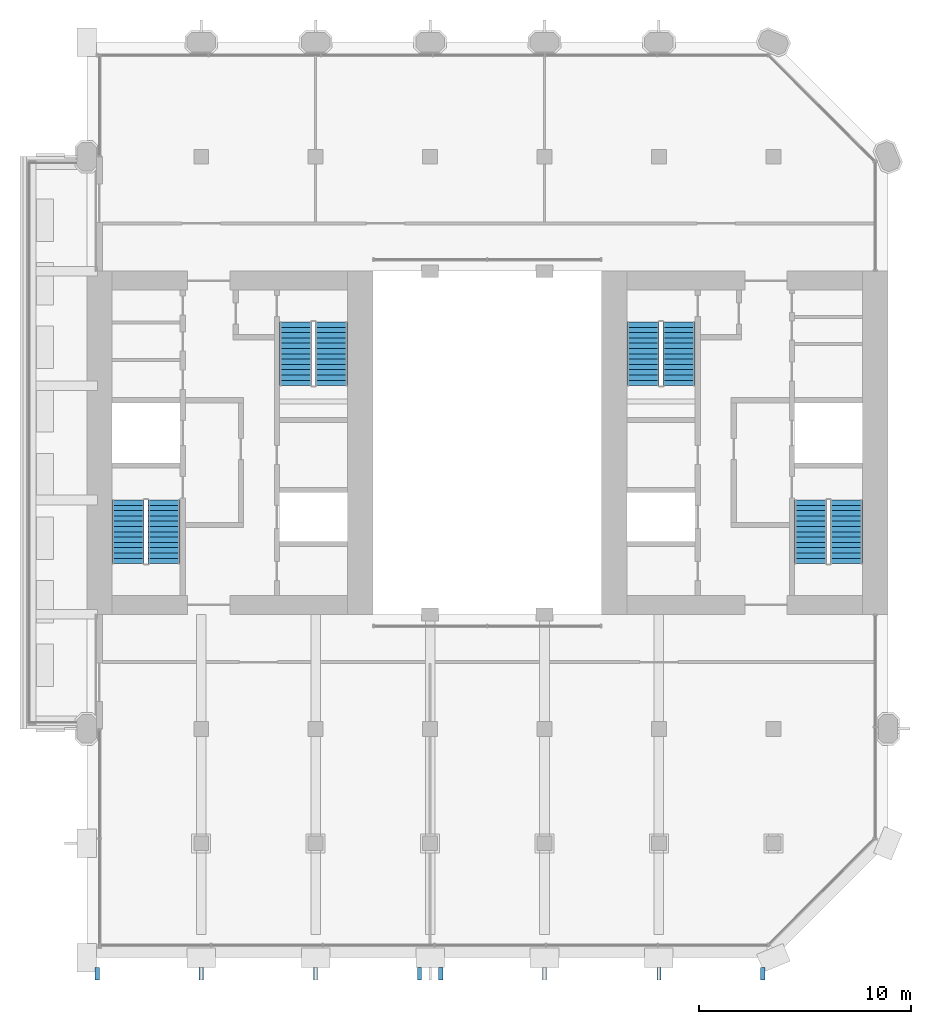
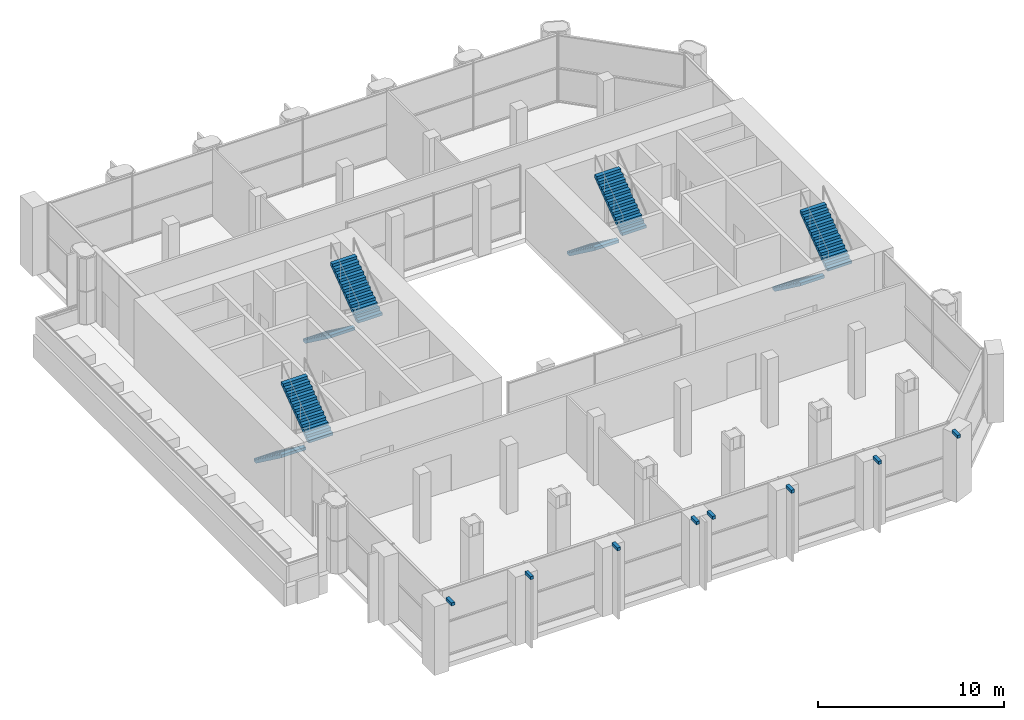
# One storey, part 11 of 14: 8 discrete accessories, 8 stair flights, 4 elements without a shape of their own.
"""IFC4 building model written with IfcOpenShell, lengths in metres."""

from ifc_helpers import new_model, si_unit, direction, frame, origin, origin_2d, place, context, subcontext, project, spatial, polyline, rectangle, outline, extrude, material, type_object, element, aggregate, save


model = new_model("IFC4")

# Units and contexts
model_context = context("Model", 3, precision=1e-05, world=origin(), true_north=direction((0.0, 1.0)))
body_context = subcontext(model_context, "Body", "Model", "MODEL_VIEW")
ifc_project = project(units=[si_unit("LENGTHUNIT", "METRE"), si_unit("AREAUNIT", "SQUARE_METRE"), si_unit("VOLUMEUNIT", "CUBIC_METRE"), si_unit("PLANEANGLEUNIT", "RADIAN"), si_unit("MASSUNIT", "GRAM", prefix="KILO")], contexts=[model_context])

# Site, building, storey
site_placement = place(None, origin())
site = spatial("IfcSite", under=ifc_project, at=site_placement, CompositionType="ELEMENT")
building_placement = place(site_placement, origin())
building = spatial("IfcBuilding", under=site, at=building_placement, Name="Tabaq Tower and Sports Hall", CompositionType="ELEMENT")
storey_placement = place(building_placement, frame((0.0, 0.0, 260.5)))
storey = spatial("IfcBuildingStorey", under=building, at=storey_placement, Name="L63", CompositionType="ELEMENT", Elevation=260.5)

# Stair, stair flights
ifc_material_1 = material(Name="Concrete C40/50", Category="concrete")
stair_type = type_object("IfcStairType", Name="Exit stair", PredefinedType="HALF_TURN_STAIR", material=ifc_material_1)
stair_1_placement = place(storey_placement, origin())
stair_1 = element("IfcStair", 1, at=stair_1_placement, inside=storey, type_object=stair_type, Name="L63 Exit stair ST1", PredefinedType="HALF_TURN_STAIR")
ifc_material_2 = material(Name="Concrete C40/50", Category="concrete")
stair_flight_type = type_object("IfcStairFlightType", Name="Exit stair flight", PredefinedType="STRAIGHT", material=ifc_material_2)
stair_flight_1_placement = place(storey_placement, frame((7.35009765625, 21.60009765625, 0.0), z_axis=(0.0, 0.0, 1.0), x_axis=(0.0, -1.0, 0.0)))
stair_flight_1 = element("IfcStairFlight", 2, at=stair_flight_1_placement, type_object=stair_flight_type, Name="ST1 flight 1", NumberOfRisers=13, NumberOfTreads=12, PredefinedType="STRAIGHT", RiserHeight=0.184615385, TreadLength=0.25, context=body_context, shape_type="SweptSolid", body=[
    extrude(outline(polyline([(0.0, 0.0), (0.0, 0.1845703125), (0.25, 0.1845703125), (0.25, 0.369140625), (0.5, 0.369140625), (0.5, 0.553955078125), (0.75, 0.553955078125), (0.75, 0.738525390625), (1.0, 0.738525390625), (1.0, 0.923095703125), (1.25, 0.923095703125), (1.25, 1.107666015625), (1.5, 1.107666015625), (1.5, 1.292236328125), (1.75, 1.292236328125), (1.75, 1.476806640625), (2.0, 1.476806640625), (2.0, 1.66162109375), (2.25, 1.66162109375), (2.25, 1.84619140625), (2.5, 1.84619140625), (2.5, 2.03076171875), (2.75, 2.03076171875), (2.75, 2.21533203125), (3.0, 2.21533203125), (3.0, 2.39990234375), (3.0, 2.029052734375), (0.25244140625, 0.0), (0.0, 0.0)])), frame((0.0, 0.75, 0.0), z_axis=(0.0, -1.0, 0.0), x_axis=(1.0, 0.0, 0.0)), (0.0, 0.0, 1.0), 1.5),
])
stair_flight_2_placement = place(storey_placement, frame((9.050048828125, 18.60009765625, 2.39990234375), z_axis=(0.0, 0.0, 1.0), x_axis=(0.0, 1.0, 0.0)))
stair_flight_2 = element("IfcStairFlight", 3, at=stair_flight_2_placement, type_object=stair_flight_type, Name="ST1 flight 2", NumberOfRisers=13, NumberOfTreads=12, PredefinedType="STRAIGHT", RiserHeight=0.184615385, TreadLength=0.25, context=body_context, shape_type="SweptSolid", body=[
    extrude(outline(polyline([(0.0, 0.0), (0.0, 0.1845703125), (0.25, 0.1845703125), (0.25, 0.369140625), (0.5, 0.369140625), (0.5, 0.553955078125), (0.75, 0.553955078125), (0.75, 0.738525390625), (1.0, 0.738525390625), (1.0, 0.923095703125), (1.25, 0.923095703125), (1.25, 1.107666015625), (1.5, 1.107666015625), (1.5, 1.292236328125), (1.75, 1.292236328125), (1.75, 1.476806640625), (2.0, 1.476806640625), (2.0, 1.66162109375), (2.25, 1.66162109375), (2.25, 1.84619140625), (2.5, 1.84619140625), (2.5, 2.03076171875), (2.75, 2.03076171875), (2.75, 2.21533203125), (3.0, 2.21533203125), (3.0, 2.39990234375), (3.0, 2.029052734375), (0.25244140625, 0.0), (0.0, 0.0)])), frame((0.0, 0.75, 0.0), z_axis=(0.0, -1.0, 0.0), x_axis=(1.0, 0.0, 0.0)), (0.0, 0.0, 1.0), 1.5),
])
aggregate(stair_1, [stair_flight_1, stair_flight_2])

stair_2_placement = place(storey_placement, origin())
stair_2 = element("IfcStair", 4, at=stair_2_placement, inside=storey, type_object=stair_type, Name="L63 Exit stair ST2", PredefinedType="HALF_TURN_STAIR")
stair_flight_3_placement = place(storey_placement, frame((15.25, 30.0, 0.0), z_axis=(0.0, 0.0, 1.0), x_axis=(0.0, -1.0, 0.0)))
stair_flight_3 = element("IfcStairFlight", 5, at=stair_flight_3_placement, type_object=stair_flight_type, Name="ST2 flight 1", NumberOfRisers=13, NumberOfTreads=12, PredefinedType="STRAIGHT", RiserHeight=0.184615385, TreadLength=0.25, context=body_context, shape_type="SweptSolid", body=[
    extrude(outline(polyline([(0.0, 0.0), (0.0, 0.1845703125), (0.25, 0.1845703125), (0.25, 0.369140625), (0.5, 0.369140625), (0.5, 0.553955078125), (0.75, 0.553955078125), (0.75, 0.738525390625), (1.0, 0.738525390625), (1.0, 0.923095703125), (1.25, 0.923095703125), (1.25, 1.107666015625), (1.5, 1.107666015625), (1.5, 1.292236328125), (1.75, 1.292236328125), (1.75, 1.476806640625), (2.0, 1.476806640625), (2.0, 1.66162109375), (2.25, 1.66162109375), (2.25, 1.84619140625), (2.5, 1.84619140625), (2.5, 2.03076171875), (2.75, 2.03076171875), (2.75, 2.21533203125), (3.0, 2.21533203125), (3.0, 2.39990234375), (3.0, 2.029052734375), (0.25244140625, 0.0), (0.0, 0.0)])), frame((0.0, 0.75, 0.0), z_axis=(0.0, -1.0, 0.0), x_axis=(1.0, 0.0, 0.0)), (0.0, 0.0, 1.0), 1.5),
])
stair_flight_4_placement = place(storey_placement, frame((16.949951171875, 27.0, 2.39990234375), z_axis=(0.0, 0.0, 1.0), x_axis=(0.0, 1.0, 0.0)))
stair_flight_4 = element("IfcStairFlight", 6, at=stair_flight_4_placement, type_object=stair_flight_type, Name="ST2 flight 2", NumberOfRisers=13, NumberOfTreads=12, PredefinedType="STRAIGHT", RiserHeight=0.184615385, TreadLength=0.25, context=body_context, shape_type="SweptSolid", body=[
    extrude(outline(polyline([(0.0, 0.0), (0.0, 0.1845703125), (0.25, 0.1845703125), (0.25, 0.369140625), (0.5, 0.369140625), (0.5, 0.553955078125), (0.75, 0.553955078125), (0.75, 0.738525390625), (1.0, 0.738525390625), (1.0, 0.923095703125), (1.25, 0.923095703125), (1.25, 1.107666015625), (1.5, 1.107666015625), (1.5, 1.292236328125), (1.75, 1.292236328125), (1.75, 1.476806640625), (2.0, 1.476806640625), (2.0, 1.66162109375), (2.25, 1.66162109375), (2.25, 1.84619140625), (2.5, 1.84619140625), (2.5, 2.03076171875), (2.75, 2.03076171875), (2.75, 2.21533203125), (3.0, 2.21533203125), (3.0, 2.39990234375), (3.0, 2.029052734375), (0.25244140625, 0.0), (0.0, 0.0)])), frame((0.0, 0.75, 0.0), z_axis=(0.0, -1.0, 0.0), x_axis=(1.0, 0.0, 0.0)), (0.0, 0.0, 1.0), 1.5),
])
aggregate(stair_2, [stair_flight_3, stair_flight_4])

stair_3_placement = place(storey_placement, origin())
stair_3 = element("IfcStair", 7, at=stair_3_placement, inside=storey, type_object=stair_type, Name="L63 Exit stair ST3", PredefinedType="HALF_TURN_STAIR")
stair_flight_5_placement = place(storey_placement, frame((39.550048828125, 21.60009765625, 0.0), z_axis=(0.0, 0.0, 1.0), x_axis=(0.0, -1.0, 0.0)))
stair_flight_5 = element("IfcStairFlight", 8, at=stair_flight_5_placement, type_object=stair_flight_type, Name="ST3 flight 1", NumberOfRisers=13, NumberOfTreads=12, PredefinedType="STRAIGHT", RiserHeight=0.184615385, TreadLength=0.25, context=body_context, shape_type="SweptSolid", body=[
    extrude(outline(polyline([(0.0, 0.0), (0.0, 0.1845703125), (0.25, 0.1845703125), (0.25, 0.369140625), (0.5, 0.369140625), (0.5, 0.553955078125), (0.75, 0.553955078125), (0.75, 0.738525390625), (1.0, 0.738525390625), (1.0, 0.923095703125), (1.25, 0.923095703125), (1.25, 1.107666015625), (1.5, 1.107666015625), (1.5, 1.292236328125), (1.75, 1.292236328125), (1.75, 1.476806640625), (2.0, 1.476806640625), (2.0, 1.66162109375), (2.25, 1.66162109375), (2.25, 1.84619140625), (2.5, 1.84619140625), (2.5, 2.03076171875), (2.75, 2.03076171875), (2.75, 2.21533203125), (3.0, 2.21533203125), (3.0, 2.39990234375), (3.0, 2.029052734375), (0.25244140625, 0.0), (0.0, 0.0)])), frame((0.0, 0.75, 0.0), z_axis=(0.0, -1.0, 0.0), x_axis=(1.0, 0.0, 0.0)), (0.0, 0.0, 1.0), 1.5),
])
stair_flight_6_placement = place(storey_placement, frame((41.25, 18.60009765625, 2.39990234375), z_axis=(0.0, 0.0, 1.0), x_axis=(0.0, 1.0, 0.0)))
stair_flight_6 = element("IfcStairFlight", 9, at=stair_flight_6_placement, type_object=stair_flight_type, Name="ST3 flight 2", NumberOfRisers=13, NumberOfTreads=12, PredefinedType="STRAIGHT", RiserHeight=0.184615385, TreadLength=0.25, context=body_context, shape_type="SweptSolid", body=[
    extrude(outline(polyline([(0.0, 0.0), (0.0, 0.1845703125), (0.25, 0.1845703125), (0.25, 0.369140625), (0.5, 0.369140625), (0.5, 0.553955078125), (0.75, 0.553955078125), (0.75, 0.738525390625), (1.0, 0.738525390625), (1.0, 0.923095703125), (1.25, 0.923095703125), (1.25, 1.107666015625), (1.5, 1.107666015625), (1.5, 1.292236328125), (1.75, 1.292236328125), (1.75, 1.476806640625), (2.0, 1.476806640625), (2.0, 1.66162109375), (2.25, 1.66162109375), (2.25, 1.84619140625), (2.5, 1.84619140625), (2.5, 2.03076171875), (2.75, 2.03076171875), (2.75, 2.21533203125), (3.0, 2.21533203125), (3.0, 2.39990234375), (3.0, 2.029052734375), (0.25244140625, 0.0), (0.0, 0.0)])), frame((0.0, 0.75, 0.0), z_axis=(0.0, -1.0, 0.0), x_axis=(1.0, 0.0, 0.0)), (0.0, 0.0, 1.0), 1.5),
])
aggregate(stair_3, [stair_flight_5, stair_flight_6])

stair_4_placement = place(storey_placement, origin())
stair_4 = element("IfcStair", 10, at=stair_4_placement, inside=storey, type_object=stair_type, Name="L63 Exit stair ST4", PredefinedType="HALF_TURN_STAIR")
stair_flight_7_placement = place(storey_placement, frame((31.64990234375, 30.0, 0.0), z_axis=(0.0, 0.0, 1.0), x_axis=(0.0, -1.0, 0.0)))
stair_flight_7 = element("IfcStairFlight", 11, at=stair_flight_7_placement, type_object=stair_flight_type, Name="ST4 flight 1", NumberOfRisers=13, NumberOfTreads=12, PredefinedType="STRAIGHT", RiserHeight=0.184615385, TreadLength=0.25, context=body_context, shape_type="SweptSolid", body=[
    extrude(outline(polyline([(0.0, 0.0), (0.0, 0.1845703125), (0.25, 0.1845703125), (0.25, 0.369140625), (0.5, 0.369140625), (0.5, 0.553955078125), (0.75, 0.553955078125), (0.75, 0.738525390625), (1.0, 0.738525390625), (1.0, 0.923095703125), (1.25, 0.923095703125), (1.25, 1.107666015625), (1.5, 1.107666015625), (1.5, 1.292236328125), (1.75, 1.292236328125), (1.75, 1.476806640625), (2.0, 1.476806640625), (2.0, 1.66162109375), (2.25, 1.66162109375), (2.25, 1.84619140625), (2.5, 1.84619140625), (2.5, 2.03076171875), (2.75, 2.03076171875), (2.75, 2.21533203125), (3.0, 2.21533203125), (3.0, 2.39990234375), (3.0, 2.029052734375), (0.25244140625, 0.0), (0.0, 0.0)])), frame((0.0, 0.75, 0.0), z_axis=(0.0, -1.0, 0.0), x_axis=(1.0, 0.0, 0.0)), (0.0, 0.0, 1.0), 1.5),
])
stair_flight_8_placement = place(storey_placement, frame((33.35009765625, 27.0, 2.39990234375), z_axis=(0.0, 0.0, 1.0), x_axis=(0.0, 1.0, 0.0)))
stair_flight_8 = element("IfcStairFlight", 12, at=stair_flight_8_placement, type_object=stair_flight_type, Name="ST4 flight 2", NumberOfRisers=13, NumberOfTreads=12, PredefinedType="STRAIGHT", RiserHeight=0.184615385, TreadLength=0.25, context=body_context, shape_type="SweptSolid", body=[
    extrude(outline(polyline([(0.0, 0.0), (0.0, 0.1845703125), (0.25, 0.1845703125), (0.25, 0.369140625), (0.5, 0.369140625), (0.5, 0.553955078125), (0.75, 0.553955078125), (0.75, 0.738525390625), (1.0, 0.738525390625), (1.0, 0.923095703125), (1.25, 0.923095703125), (1.25, 1.107666015625), (1.5, 1.107666015625), (1.5, 1.292236328125), (1.75, 1.292236328125), (1.75, 1.476806640625), (2.0, 1.476806640625), (2.0, 1.66162109375), (2.25, 1.66162109375), (2.25, 1.84619140625), (2.5, 1.84619140625), (2.5, 2.03076171875), (2.75, 2.03076171875), (2.75, 2.21533203125), (3.0, 2.21533203125), (3.0, 2.39990234375), (3.0, 2.029052734375), (0.25244140625, 0.0), (0.0, 0.0)])), frame((0.0, 0.75, 0.0), z_axis=(0.0, -1.0, 0.0), x_axis=(1.0, 0.0, 0.0)), (0.0, 0.0, 1.0), 1.5),
])
aggregate(stair_4, [stair_flight_7, stair_flight_8])

# Discrete accessories
for number, where, z_axis, x_axis, name in (
    (13, (5.89990234375, -0.75, 4.5), (0.0, 0.0, 1.0), (0.0, -1.0, 0.0), "Stainless steel bracket"),
    (14, (10.800048828125, -0.75, 4.5), (0.0, 0.0, 1.0), (0.0, -1.0, 0.0), "Stainless steel bracket"),
    (15, (16.199951171875, -0.75, 4.5), (0.0, 0.0, 1.0), (0.0, -1.0, 0.0), "Stainless steel bracket"),
    (16, (21.10009765625, -0.75, 4.5), (0.0, 0.0, 1.0), (0.0, -1.0, 0.0), "Stainless steel bracket"),
    (17, (22.10009765625, -0.75, 4.5), (0.0, 0.0, 1.0), (0.0, -1.0, 0.0), "Stainless steel bracket"),
    (18, (27.0, -0.75, 4.5), (0.0, 0.0, 1.0), (0.0, -1.0, 0.0), "Stainless steel bracket"),
    (19, (32.39990234375, -0.75, 4.5), (0.0, 0.0, 1.0), (0.0, -1.0, 0.0), "Stainless steel bracket"),
    (20, (37.300048828125, -0.75, 4.5), (0.0, 0.0, 1.0), (0.0, -1.0, 0.0), "Stainless steel bracket"),
):
    element("IfcDiscreteAccessory", number, at=place(storey_placement, frame(where, z_axis=z_axis, x_axis=x_axis)), inside=storey, Name=name, PredefinedType="BRACKET", context=body_context, shape_type="SweptSolid", body=[
        extrude(rectangle(XDim=0.60009765625, YDim=0.199951171875, at=origin_2d()), origin(), (0.0, 0.0, 1.0), 0.199951171875),
    ])

save(model, "model.ifc")
